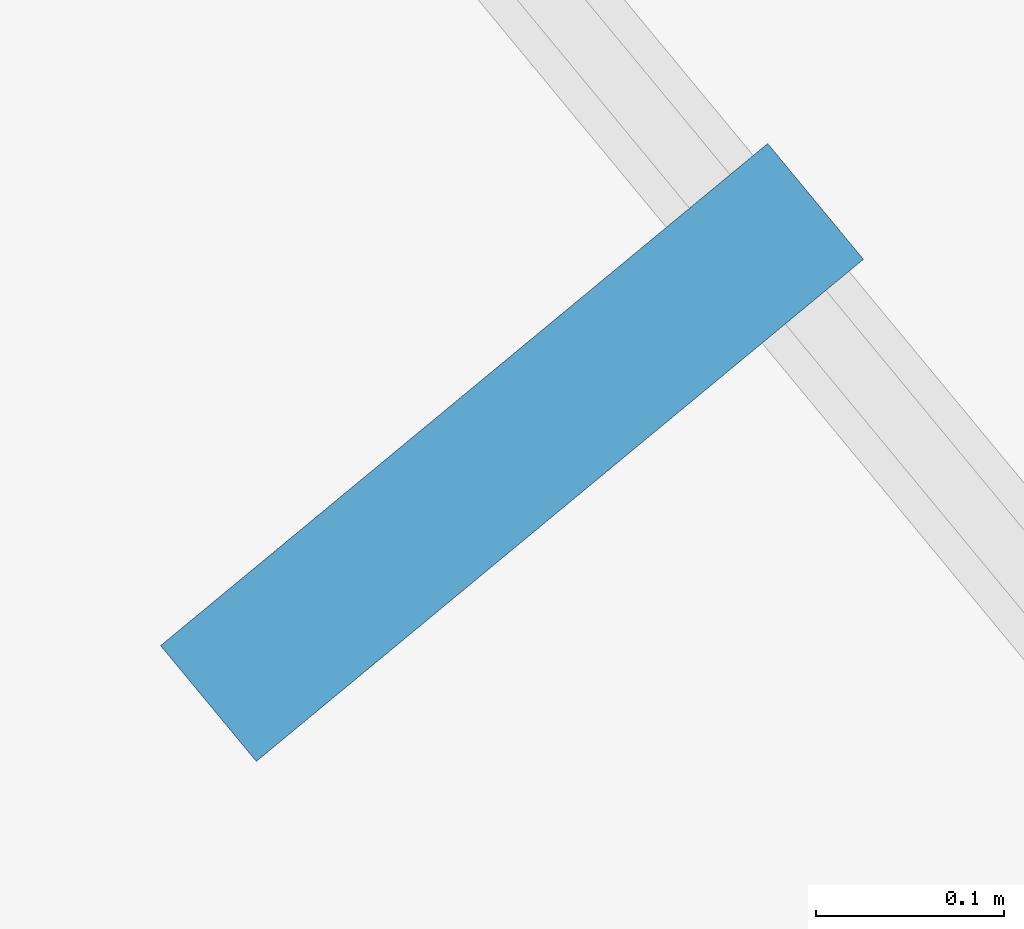
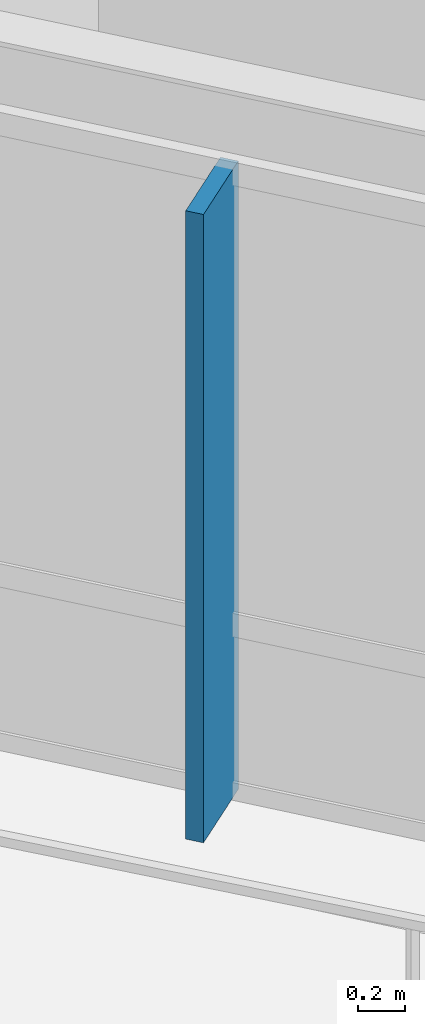
# One storey, part 17 of 28: 1 plate.
"""IFC4 building model written with IfcOpenShell, lengths in metres."""

from ifc_helpers import new_model, si_unit, direction, frame, origin, origin_2d, place, context, subcontext, project, spatial, rectangle, extrude, material, layer, layer_set, type_object, element, save


model = new_model("IFC4")

# Units and contexts
model_context = context("Model", 3, precision=1e-05, world=origin(), true_north=direction((0.0, 1.0)))
body_context = subcontext(model_context, "Body", "Model", "MODEL_VIEW")
ifc_project = project(units=[si_unit("LENGTHUNIT", "METRE"), si_unit("AREAUNIT", "SQUARE_METRE"), si_unit("VOLUMEUNIT", "CUBIC_METRE"), si_unit("PLANEANGLEUNIT", "RADIAN"), si_unit("MASSUNIT", "GRAM", prefix="KILO")], contexts=[model_context])

# Site, building, storey
site_placement = place(None, origin())
site = spatial("IfcSite", under=ifc_project, at=site_placement, CompositionType="ELEMENT")
building_placement = place(site_placement, origin())
building = spatial("IfcBuilding", under=site, at=building_placement, Name="Sarneth Arch Tower", CompositionType="ELEMENT")
storey_placement = place(building_placement, frame((0.0, 0.0, 197.39990234375)))
storey = spatial("IfcBuildingStorey", under=building, at=storey_placement, Name="L50", CompositionType="ELEMENT", Elevation=197.39990234375)

# Plate
ifc_material = material(Name="Extruded glazed terracotta baguette fin on Aluminium 6063-T6 carrier", Category="masonry")
ifc_layer = layer(ifc_material, 0.080078125)
ifc_layer_set = layer_set([ifc_layer], Name="Extruded glazed terracotta baguette fin on Aluminium 6063-T6 carrier")
plate_type = type_object("IfcPlateType", Name="SHADE-TERRA-FIN", PredefinedType="SHEET", material=ifc_layer_set)
plate_placement = place(storey_placement, frame((25.46484375, 30.4052734375, 0.010009765625), z_axis=(0.0, 0.0, 1.0), x_axis=(-0.770624482513, -0.637289500111, 0.0)))
element("IfcPlate", 1, at=plate_placement, inside=storey, type_object=plate_type, Name="L50 Terracotta vertical shading fin 10", PredefinedType="SHEET", context=body_context, shape_type="SweptSolid", body=[
    extrude(rectangle(XDim=0.419921875, YDim=0.080078125, at=origin_2d()), origin(), (0.0, 0.0, 1.0), 3.22998046875),
])

save(model, "model.ifc")
